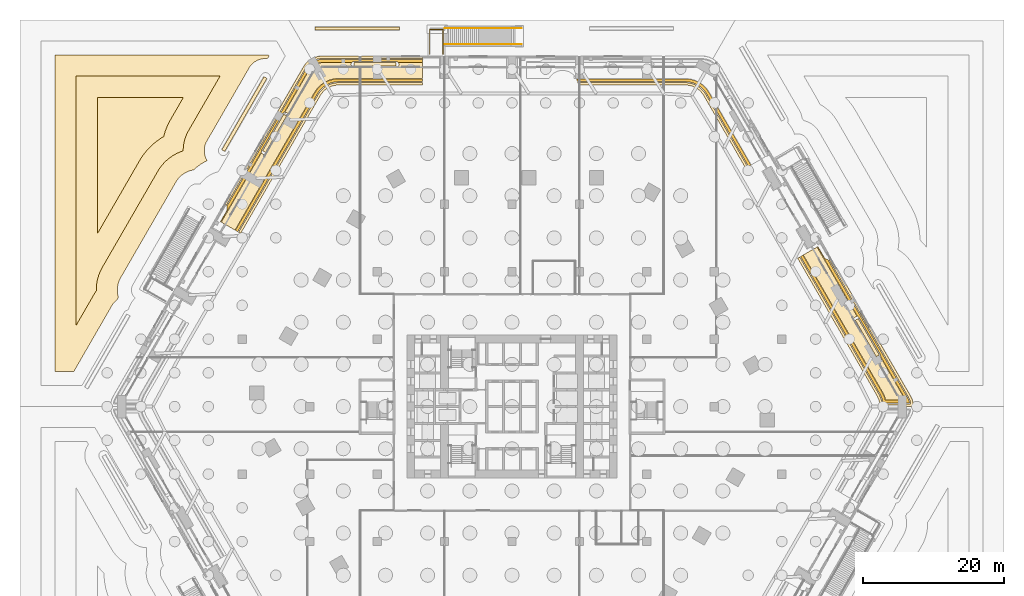
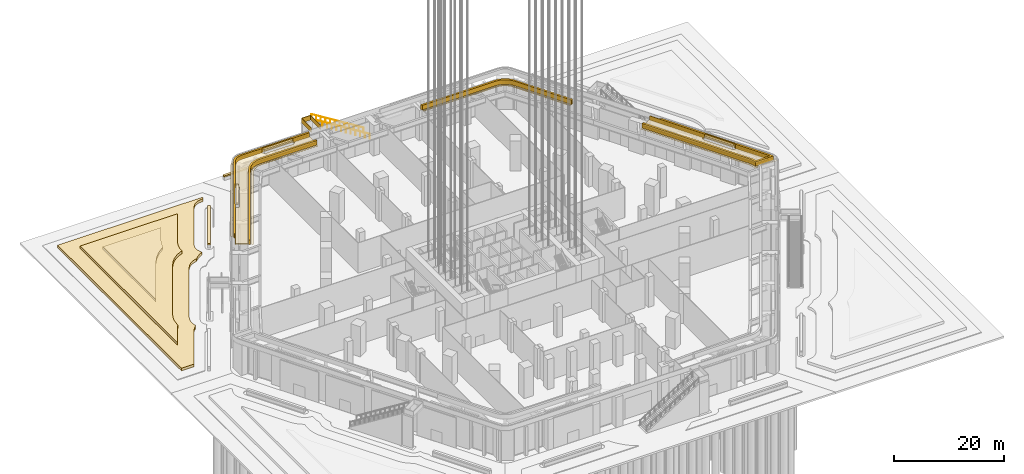
# One storey, part 66 of 68: 18 coverings, 3 railings.
"""IFC4 building model written with IfcOpenShell, lengths in metres."""

from ifc_helpers import new_model, si_unit, direction, frame, frame_2d, origin, origin_2d, place, context, subcontext, project, spatial, polyline, rectangle, circle, outline, extrude, material, layer, layer_set, type_object, element, save


model = new_model("IFC4")

# Units and contexts
model_context = context("Model", 3, precision=1e-05, world=origin(), true_north=direction((0.0, 1.0)))
body_context = subcontext(model_context, "Body", "Model", "MODEL_VIEW")
ifc_project = project(units=[si_unit("LENGTHUNIT", "METRE"), si_unit("AREAUNIT", "SQUARE_METRE"), si_unit("VOLUMEUNIT", "CUBIC_METRE"), si_unit("PLANEANGLEUNIT", "RADIAN"), si_unit("MASSUNIT", "GRAM", prefix="KILO")], contexts=[model_context])

# Site, building, storey
site_placement = place(None, origin())
site = spatial("IfcSite", under=ifc_project, at=site_placement, CompositionType="ELEMENT")
building_placement = place(site_placement, origin())
building = spatial("IfcBuilding", under=site, at=building_placement, Name="Kolab Exchange Tower", CompositionType="ELEMENT")
storey_placement = place(building_placement, origin())
storey = spatial("IfcBuildingStorey", under=building, at=storey_placement, Name="L00", CompositionType="ELEMENT", Elevation=0.0)

# Coverings
ifc_material_1 = material(Name="Planting soil and turf", Category="soil")
ifc_layer_1 = layer(ifc_material_1, 0.60009765625)
ifc_layer_set_1 = layer_set([ifc_layer_1], Name="Planting soil and turf")
covering_type_1 = type_object("IfcCoveringType", Name="GARDEN TERRACE STEP SOIL AND TURF 600", PredefinedType="USERDEFINED", material=ifc_layer_set_1)
covering_1_placement = place(storey_placement, frame((0.0, 0.0, 0.14990234375)))
element("IfcCovering", 1, at=covering_1_placement, inside=storey, type_object=covering_type_1, Name="Garden terrace step", ObjectType="PLANTING", PredefinedType="USERDEFINED", context=body_context, shape_type="SweptSolid", body=[
    extrude(outline(polyline([(-65.0, 50.0), (-34.64111328125, 50.0), (-34.573486328125, 49.883056640625), (-34.79736328125, 49.495361328125), (-34.989013671875, 49.510986328125), (-35.254150390625, 49.5068359375), (-35.517822265625, 49.476318359375), (-35.77685546875, 49.42041015625), (-36.029541015625, 49.33935546875), (-36.272705078125, 49.23388671875), (-36.504638671875, 49.10498046875), (-36.72265625, 48.9541015625), (-36.9248046875, 48.782470703125), (-37.109375, 48.592041015625), (-37.274169921875, 48.38427734375), (-37.39111328125, 48.20263671875), (-43.4404296875, 37.725341796875), (-43.5390625, 37.533203125), (-43.636474609375, 37.286376953125), (-43.709228515625, 37.031494140625), (-43.7568359375, 36.7705078125), (-43.778564453125, 36.50634765625), (-43.774169921875, 36.240966796875), (-43.743896484375, 35.9775390625), (-43.687744140625, 35.71826171875), (-43.606689453125, 35.4658203125), (-43.501220703125, 35.22265625), (-43.372314453125, 34.99072265625), (-43.3642578125, 34.97900390625), (-43.778564453125, 34.782958984375), (-44.325927734375, 34.455078125), (-44.83837890625, 34.074951171875), (-45.296142578125, 33.66015625), (-45.354736328125, 33.6533203125), (-45.690673828125, 33.580810546875), (-46.017822265625, 33.475830078125), (-46.333251953125, 33.339111328125), (-46.633544921875, 33.172119140625), (-46.916259765625, 32.976318359375), (-47.17822265625, 32.754150390625), (-47.417236328125, 32.507080078125), (-47.631103515625, 32.23779296875), (-47.79052734375, 31.990234375), (-49.01513671875, 29.869384765625), (-54.343505859375, 20.640380859375), (-54.343505859375, 20.640380859375), (-55.69970703125, 18.291259765625), (-55.834228515625, 18.029296875), (-55.960693359375, 17.709716796875), (-56.054931640625, 17.379150390625), (-56.116455078125, 17.041015625), (-56.14453125, 16.698486328125), (-56.138916015625, 16.354736328125), (-56.099853515625, 16.013427734375), (-56.027099609375, 15.677490234375), (-55.994384765625, 15.575439453125), (-56.048095703125, 15.486083984375), (-56.1787109375, 15.20947265625), (-56.22265625, 15.17919921875), (-56.4248046875, 15.007568359375), (-56.609375, 14.81689453125), (-56.774169921875, 14.609130859375), (-56.89111328125, 14.427734375), (-62.334228515625, 5.0), (-65.0, 5.0), (-65.0, 50.0)])), origin(), (0.0, 0.0, 1.0), 0.60009765625),
])
covering_2_placement = place(storey_placement, frame((0.0, 0.0, 0.75)))
element("IfcCovering", 2, at=covering_2_placement, inside=storey, type_object=covering_type_1, Name="Garden terrace step", ObjectType="PLANTING", PredefinedType="USERDEFINED", context=body_context, shape_type="SweptSolid", body=[
    extrude(outline(polyline([(-62.0, 11.578857421875), (-62.0, 47.0), (-41.549560546875, 47.0), (-46.0751953125, 39.16162109375), (-46.27490234375, 38.772705078125), (-46.480712890625, 38.251953125), (-46.634521484375, 37.71337890625), (-46.734619140625, 37.16259765625), (-46.780517578125, 36.6044921875), (-46.77685546875, 36.3828125), (-47.075927734375, 36.286865234375), (-47.66162109375, 36.032958984375), (-48.2197265625, 35.72265625), (-48.74462890625, 35.359375), (-49.2314453125, 34.9462890625), (-49.675537109375, 34.487548828125), (-50.072509765625, 33.9873046875), (-50.351806640625, 33.55419921875), (-51.61328125, 31.369384765625), (-56.744140625, 22.482421875), (-56.744140625, 22.482421875), (-58.334716796875, 19.7275390625), (-58.5703125, 19.26904296875), (-58.804931640625, 18.675048828125), (-58.980224609375, 18.061279296875), (-59.094482421875, 17.43310546875), (-59.146728515625, 16.796630859375), (-59.14111328125, 16.452880859375), (-59.215576171875, 16.358642578125), (-59.452392578125, 15.991455078125), (-62.0, 11.578857421875)])), origin(), (0.0, 0.0, 1.0), 0.60009765625),
])
covering_3_placement = place(storey_placement, frame((0.0, 0.0, 1.35009765625)))
element("IfcCovering", 3, at=covering_3_placement, inside=storey, type_object=covering_type_1, Name="Garden terrace step", ObjectType="PLANTING", PredefinedType="USERDEFINED", context=body_context, shape_type="SweptSolid", body=[
    extrude(outline(polyline([(-59.0, 24.5751953125), (-59.0, 44.0), (-46.745849609375, 44.0), (-48.710205078125, 40.59765625), (-49.0107421875, 40.012451171875), (-49.324951171875, 39.217529296875), (-49.5546875, 38.4130859375), (-49.805908203125, 38.2734375), (-50.5732421875, 37.7421875), (-51.284912109375, 37.138427734375), (-51.933837890625, 36.468017578125), (-52.513916015625, 35.73681640625), (-52.9130859375, 35.117919921875), (-54.21142578125, 32.869384765625), (-59.0, 24.5751953125)])), origin(), (0.0, 0.0, 1.0), 0.599853515625),
])

# Railings
ifc_material_2 = material(Name="Steel S235", Category="steel")
railing_type = type_object("IfcRailingType", Name="GUARD 1100 GLASS BALUSTRADE AND STEEL TOP RAIL", PredefinedType="GUARDRAIL", material=ifc_material_2)
railing_1_placement = place(storey_placement, frame((1.360107421875, 51.54296875, 0.175048828125)))
element("IfcRailing", 4, at=railing_1_placement, inside=storey, type_object=railing_type, Name="Stair guard", PredefinedType="GUARDRAIL", context=body_context, shape_type="SweptSolid", body=[
    extrude(circle(Radius=0.02490234375, at=origin_2d()), frame((0.0, 0.0, 1.0751953125), z_axis=(-0.848003629439, 0.0, 0.529990419213), x_axis=(0.0, -1.0, 0.0)), (0.0, 0.0, 1.0), 12.87744140625),
    extrude(circle(Radius=0.02001953125, at=origin_2d()), origin(), (0.0, 0.0, 1.0), 1.050048828125),
    extrude(circle(Radius=0.02001953125, at=origin_2d()), frame((-0.99267578125, 0.0, 0.620361328125)), (0.0, 0.0, 1.0), 1.050048828125),
    extrude(circle(Radius=0.02001953125, at=origin_2d()), frame((-1.985595703125, 0.0, 1.240966796875)), (0.0, 0.0, 1.0), 1.050048828125),
    extrude(circle(Radius=0.02001953125, at=origin_2d()), frame((-2.978271484375, 0.0, 1.861328125)), (0.0, 0.0, 1.0), 1.050048828125),
    extrude(circle(Radius=0.02001953125, at=origin_2d()), frame((-3.970947265625, 0.0, 2.481689453125)), (0.0, 0.0, 1.0), 1.050048828125),
    extrude(circle(Radius=0.02001953125, at=origin_2d()), frame((-4.963623046875, 0.0, 3.102294921875)), (0.0, 0.0, 1.0), 1.050048828125),
    extrude(circle(Radius=0.02001953125, at=origin_2d()), frame((-5.95654296875, 0.0, 3.72265625)), (0.0, 0.0, 1.0), 1.050048828125),
    extrude(circle(Radius=0.02001953125, at=origin_2d()), frame((-6.94921875, 0.0, 4.34326171875)), (0.0, 0.0, 1.0), 1.050048828125),
    extrude(circle(Radius=0.02001953125, at=origin_2d()), frame((-7.94189453125, 0.0, 4.963623046875)), (0.0, 0.0, 1.0), 1.050048828125),
    extrude(circle(Radius=0.02001953125, at=origin_2d()), frame((-8.9345703125, 0.0, 5.583984375)), (0.0, 0.0, 1.0), 1.050048828125),
    extrude(circle(Radius=0.02001953125, at=origin_2d()), frame((-9.927490234375, 0.0, 6.20458984375)), (0.0, 0.0, 1.0), 1.050048828125),
    extrude(circle(Radius=0.02001953125, at=origin_2d()), frame((-10.920166015625, 0.0, 6.824951171875)), (0.0, 0.0, 1.0), 1.050048828125),
])
railing_2_placement = place(storey_placement, frame((1.360107421875, 53.822998046875, 0.175048828125)))
element("IfcRailing", 5, at=railing_2_placement, inside=storey, type_object=railing_type, Name="Stair guard", PredefinedType="GUARDRAIL", context=body_context, shape_type="SweptSolid", body=[
    extrude(circle(Radius=0.02490234375, at=origin_2d()), frame((0.0, 0.0, 1.0751953125), z_axis=(-0.848003629439, 0.0, 0.529990419213), x_axis=(0.0, -1.0, 0.0)), (0.0, 0.0, 1.0), 12.87744140625),
    extrude(circle(Radius=0.02001953125, at=origin_2d()), origin(), (0.0, 0.0, 1.0), 1.050048828125),
    extrude(circle(Radius=0.02001953125, at=origin_2d()), frame((-0.99267578125, 0.0, 0.620361328125)), (0.0, 0.0, 1.0), 1.050048828125),
    extrude(circle(Radius=0.02001953125, at=origin_2d()), frame((-1.985595703125, 0.0, 1.240966796875)), (0.0, 0.0, 1.0), 1.050048828125),
    extrude(circle(Radius=0.02001953125, at=origin_2d()), frame((-2.978271484375, 0.0, 1.861328125)), (0.0, 0.0, 1.0), 1.050048828125),
    extrude(circle(Radius=0.02001953125, at=origin_2d()), frame((-3.970947265625, 0.0, 2.481689453125)), (0.0, 0.0, 1.0), 1.050048828125),
    extrude(circle(Radius=0.02001953125, at=origin_2d()), frame((-4.963623046875, 0.0, 3.102294921875)), (0.0, 0.0, 1.0), 1.050048828125),
    extrude(circle(Radius=0.02001953125, at=origin_2d()), frame((-5.95654296875, 0.0, 3.72265625)), (0.0, 0.0, 1.0), 1.050048828125),
    extrude(circle(Radius=0.02001953125, at=origin_2d()), frame((-6.94921875, 0.0, 4.34326171875)), (0.0, 0.0, 1.0), 1.050048828125),
    extrude(circle(Radius=0.02001953125, at=origin_2d()), frame((-7.94189453125, 0.0, 4.963623046875)), (0.0, 0.0, 1.0), 1.050048828125),
    extrude(circle(Radius=0.02001953125, at=origin_2d()), frame((-8.9345703125, 0.0, 5.583984375)), (0.0, 0.0, 1.0), 1.050048828125),
    extrude(circle(Radius=0.02001953125, at=origin_2d()), frame((-9.927490234375, 0.0, 6.20458984375)), (0.0, 0.0, 1.0), 1.050048828125),
    extrude(circle(Radius=0.02001953125, at=origin_2d()), frame((-10.920166015625, 0.0, 6.824951171875)), (0.0, 0.0, 1.0), 1.050048828125),
])
railing_3_placement = place(storey_placement, frame((-11.7099609375, 50.133056640625, 7.0)))
element("IfcRailing", 6, at=railing_3_placement, inside=storey, type_object=railing_type, Name="Landing guard", PredefinedType="GUARDRAIL", context=body_context, shape_type="SweptSolid", body=[
    extrude(rectangle(XDim=0.05, YDim=0.05, at=origin_2d()), frame((0.0, 0.0, 1.0751953125), z_axis=(0.0, 1.0, 0.0), x_axis=(-1.0, 0.0, 0.0)), (0.0, 0.0, 1.0), 3.5),
    extrude(rectangle(XDim=0.012, YDim=1.05009765625, at=frame_2d((0.0, 0.525146484375))), frame((0.0, 0.0, 0.0), z_axis=(0.0, 1.0, 0.0), x_axis=(-1.0, 0.0, 0.0)), (0.0, 0.0, 1.0), 3.5),
    extrude(rectangle(XDim=0.05, YDim=0.05, at=origin_2d()), frame((0.0, 3.5, 1.0751953125), z_axis=(1.0, 0.0, 0.0), x_axis=(0.0, 1.0, 0.0)), (0.0, 0.0, 1.0), 1.905029296875),
    extrude(rectangle(XDim=0.012, YDim=1.05009765625, at=frame_2d((0.0, 0.525146484375))), frame((0.0, 3.5, 0.0), z_axis=(1.0, 0.0, 0.0), x_axis=(0.0, 1.0, 0.0)), (0.0, 0.0, 1.0), 1.905029296875),
    extrude(rectangle(XDim=0.05, YDim=0.05, at=origin_2d()), frame((1.905029296875, 3.5, 1.0751953125), z_axis=(0.0, -1.0, 0.0), x_axis=(1.0, 0.0, 0.0)), (0.0, 0.0, 1.0), 3.5),
    extrude(rectangle(XDim=0.012, YDim=1.05009765625, at=frame_2d((0.0, 0.525146484375))), frame((1.905029296875, 3.5, 0.0), z_axis=(0.0, -1.0, 0.0), x_axis=(1.0, 0.0, 0.0)), (0.0, 0.0, 1.0), 3.5),
])

# Coverings
ifc_layer_2 = layer(ifc_material_1, 0.25)
ifc_layer_set_2 = layer_set([ifc_layer_2], Name="Planting soil and turf")
covering_type_2 = type_object("IfcCoveringType", Name="PLANTING SOIL AND TURF 250", PredefinedType="USERDEFINED", material=ifc_layer_set_2)
covering_4_placement = place(storey_placement, frame((0.0, 0.0, 7.0)))
element("IfcCovering", 7, at=covering_4_placement, inside=storey, type_object=covering_type_2, Name="Planting soil and turf", ObjectType="PLANTING", PredefinedType="USERDEFINED", context=body_context, shape_type="SweptSolid", body=[
    extrude(outline(polyline([(-35.64208984375, 36.132080078125), (-35.62841796875, 36.100341796875), (-35.609375, 36.06591796875), (-35.587158203125, 36.03369140625), (-35.561767578125, 36.003662109375), (-35.533447265625, 35.9765625), (-35.502685546875, 35.9521484375), (-35.4697265625, 35.930908203125), (-35.434814453125, 35.912841796875), (-35.398193359375, 35.8984375), (-35.360595703125, 35.8876953125), (-35.322021484375, 35.880615234375), (-35.28271484375, 35.87744140625), (-35.24365234375, 35.878173828125), (-35.20458984375, 35.882568359375), (-35.166259765625, 35.890869140625), (-35.12890625, 35.90283203125), (-35.0927734375, 35.91845703125), (-35.05859375, 35.9375), (-35.026123046875, 35.9599609375), (-34.996337890625, 35.9853515625), (-34.968994140625, 36.013427734375), (-34.944580078125, 36.044189453125), (-34.92333984375, 36.0771484375), (-31.92333984375, 41.2734375), (-31.9052734375, 41.308349609375), (-31.890869140625, 41.3447265625), (-31.880126953125, 41.382568359375), (-31.873046875, 41.421142578125), (-31.869873046875, 41.460205078125), (-31.87060546875, 41.49951171875), (-31.875, 41.53857421875), (-31.88330078125, 41.576904296875), (-31.895263671875, 41.6142578125), (-31.910888671875, 41.650390625), (-31.929931640625, 41.6845703125), (-31.952392578125, 41.716796875), (-31.977783203125, 41.746826171875), (-32.005859375, 41.774169921875), (-32.03662109375, 41.798583984375), (-32.06982421875, 41.81982421875), (-32.104736328125, 41.837646484375), (-32.14111328125, 41.85205078125), (-32.178955078125, 41.86279296875), (-32.217529296875, 41.869873046875), (-32.256591796875, 41.873046875), (-32.2958984375, 41.87255859375), (-32.330322265625, 41.86865234375), (-28.864013671875, 47.8720703125), (-28.635498046875, 48.198486328125), (-28.38330078125, 48.45068359375), (-28.091064453125, 48.6552734375), (-27.767822265625, 48.805908203125), (-27.42333984375, 48.8984375), (-27.0263671875, 48.93310546875), (-22.801025390625, 48.93310546875), (-22.821533203125, 48.9052734375), (-22.841796875, 48.87158203125), (-22.8583984375, 48.836181640625), (-22.87158203125, 48.799072265625), (-22.88134765625, 48.760986328125), (-22.886962890625, 48.72216796875), (-22.888916015625, 48.68310546875), (-22.886962890625, 48.643798828125), (-22.88134765625, 48.60498046875), (-22.87158203125, 48.56689453125), (-22.8583984375, 48.530029296875), (-22.841796875, 48.494384765625), (-22.821533203125, 48.4609375), (-22.798095703125, 48.42919921875), (-22.771728515625, 48.400146484375), (-22.74267578125, 48.373779296875), (-22.711181640625, 48.3505859375), (-22.677490234375, 48.330322265625), (-22.64208984375, 48.3134765625), (-22.60498046875, 48.30029296875), (-22.56689453125, 48.290771484375), (-22.528076171875, 48.284912109375), (-22.489013671875, 48.282958984375), (-16.489013671875, 48.282958984375), (-16.44970703125, 48.284912109375), (-16.410888671875, 48.290771484375), (-16.372802734375, 48.30029296875), (-16.3359375, 48.3134765625), (-16.30029296875, 48.330322265625), (-16.2666015625, 48.3505859375), (-16.235107421875, 48.373779296875), (-16.2060546875, 48.400146484375), (-16.1796875, 48.42919921875), (-16.15625, 48.4609375), (-16.13623046875, 48.494384765625), (-16.119384765625, 48.530029296875), (-16.106201171875, 48.56689453125), (-16.0966796875, 48.60498046875), (-16.0908203125, 48.643798828125), (-16.0888671875, 48.68310546875), (-16.0908203125, 48.72216796875), (-16.0966796875, 48.760986328125), (-16.106201171875, 48.799072265625), (-16.119384765625, 48.836181640625), (-16.13623046875, 48.87158203125), (-16.15625, 48.9052734375), (-16.177001953125, 48.93310546875), (-12.760009765625, 48.93310546875), (-12.760009765625, 46.676025390625), (-24.70947265625, 46.676025390625), (-25.3544921875, 46.61962890625), (-26.020263671875, 46.44140625), (-26.644775390625, 46.150146484375), (-27.209228515625, 45.7548828125), (-27.696533203125, 45.267578125), (-28.068115234375, 44.737060546875), (-39.40283203125, 25.104736328125), (-41.357177734375, 26.233154296875), (-35.64208984375, 36.132080078125)])), origin(), (0.0, 0.0, 1.0), 0.25),
])
covering_5_placement = place(storey_placement, frame((0.0, 0.0, 7.0)))
element("IfcCovering", 8, at=covering_5_placement, inside=storey, type_object=covering_type_2, Name="Planting soil and turf", ObjectType="PLANTING", PredefinedType="USERDEFINED", context=body_context, shape_type="SweptSolid", body=[
    extrude(outline(polyline([(49.1123046875, 12.801025390625), (49.077880859375, 12.804931640625), (49.038818359375, 12.8056640625), (48.99951171875, 12.802490234375), (48.9609375, 12.79541015625), (48.92333984375, 12.78466796875), (48.88671875, 12.770263671875), (48.851806640625, 12.752197265625), (48.81884765625, 12.73095703125), (48.7880859375, 12.70654296875), (48.760009765625, 12.67919921875), (48.734375, 12.6494140625), (48.712158203125, 12.6171875), (48.693115234375, 12.582763671875), (48.677490234375, 12.546875), (48.66552734375, 12.50927734375), (48.6572265625, 12.470947265625), (48.652587890625, 12.43212890625), (48.652099609375, 12.392822265625), (48.6552734375, 12.353759765625), (48.662353515625, 12.31494140625), (48.673095703125, 12.27734375), (48.6875, 12.24072265625), (48.705322265625, 12.205810546875), (51.705322265625, 7.009765625), (51.726806640625, 6.976806640625), (51.7509765625, 6.946044921875), (51.7783203125, 6.917724609375), (51.808349609375, 6.892333984375), (51.840576171875, 6.8701171875), (51.875, 6.85107421875), (51.910888671875, 6.83544921875), (51.9482421875, 6.8232421875), (51.986572265625, 6.81494140625), (52.025634765625, 6.810546875), (52.06494140625, 6.809814453125), (52.10400390625, 6.813232421875), (52.142578125, 6.820068359375), (52.180419921875, 6.8310546875), (52.216796875, 6.845458984375), (52.251953125, 6.86328125), (52.284912109375, 6.884521484375), (52.315673828125, 6.908935546875), (52.34375, 6.936279296875), (52.369140625, 6.96630859375), (52.3916015625, 6.99853515625), (52.41064453125, 7.03271484375), (52.42431640625, 7.064453125), (55.890625, 1.06103515625), (55.942138671875, 0.949951171875), (53.158935546875, 0.949951171875), (53.051025390625, 1.352294921875), (52.77734375, 1.93896484375), (41.442626953125, 21.5712890625), (43.397216796875, 22.699951171875), (49.1123046875, 12.801025390625)])), origin(), (0.0, 0.0, 1.0), 0.25),
])
covering_6_placement = place(storey_placement, frame((0.0, 0.0, 7.699951171875)))
element("IfcCovering", 9, at=covering_6_placement, inside=storey, type_object=covering_type_2, Name="Planting soil and turf", ObjectType="PLANTING", PredefinedType="USERDEFINED", context=body_context, shape_type="SweptSolid", body=[
    extrude(outline(polyline([(-16.489013671875, 48.922607421875), (-16.489013671875, 48.442626953125), (-22.489013671875, 48.442626953125), (-22.489013671875, 48.922607421875), (-16.489013671875, 48.922607421875)])), origin(), (0.0, 0.0, 1.0), 0.300048828125),
])
covering_7_placement = place(storey_placement, frame((0.0, 0.0, 7.699951171875)))
element("IfcCovering", 10, at=covering_7_placement, inside=storey, type_object=covering_type_2, Name="Planting soil and turf", ObjectType="PLANTING", PredefinedType="USERDEFINED", context=body_context, shape_type="SweptSolid", body=[
    extrude(outline(polyline([(52.259765625, 7.32958984375), (51.843994140625, 7.089599609375), (48.843994140625, 12.285888671875), (49.259765625, 12.52587890625), (52.259765625, 7.32958984375)])), origin(), (0.0, 0.0, 1.0), 0.300048828125),
])
covering_8_placement = place(storey_placement, frame((0.0, 0.0, 7.699951171875)))
element("IfcCovering", 11, at=covering_8_placement, inside=storey, type_object=covering_type_2, Name="Planting soil and turf", ObjectType="PLANTING", PredefinedType="USERDEFINED", context=body_context, shape_type="SweptSolid", body=[
    extrude(outline(polyline([(-32.4775390625, 41.59326171875), (-32.061767578125, 41.353271484375), (-35.061767578125, 36.1572265625), (-35.4775390625, 36.397216796875), (-32.4775390625, 41.59326171875)])), origin(), (0.0, 0.0, 1.0), 0.300048828125),
])
covering_9_placement = place(storey_placement, frame((0.0, 0.0, 0.699951171875)))
element("IfcCovering", 12, at=covering_9_placement, inside=storey, type_object=covering_type_2, Name="Planting soil and turf", ObjectType="PLANTING", PredefinedType="USERDEFINED", context=body_context, shape_type="SweptSolid", body=[
    extrude(outline(polyline([(-16.0, 54.02294921875), (-16.0, 53.54296875), (-28.0, 53.54296875), (-28.0, 54.02294921875), (-16.0, 54.02294921875)])), origin(), (0.0, 0.0, 1.0), 0.300048828125),
])
covering_10_placement = place(storey_placement, frame((0.0, 0.0, 0.699951171875)))
element("IfcCovering", 13, at=covering_10_placement, inside=storey, type_object=covering_type_2, Name="Planting soil and turf", ObjectType="PLANTING", PredefinedType="USERDEFINED", context=body_context, shape_type="SweptSolid", body=[
    extrude(outline(polyline([(-35.285400390625, 46.93017578125), (-34.86962890625, 46.690185546875), (-40.86962890625, 36.2978515625), (-41.285400390625, 36.537841796875), (-35.285400390625, 46.93017578125)])), origin(), (0.0, 0.0, 1.0), 0.300048828125),
])
ifc_material_3 = material(Name="Limestone coping", Category="masonry")
ifc_layer_3 = layer(ifc_material_3, 0.050048828125)
ifc_layer_set_3 = layer_set([ifc_layer_3], Name="Limestone coping")
covering_type_3 = type_object("IfcCoveringType", Name="TERRACE EDGE BAND LIMESTONE 50", PredefinedType="CLADDING", material=ifc_layer_set_3)
covering_11_placement = place(storey_placement, frame((0.0, 0.0, 7.0)))
element("IfcCovering", 14, at=covering_11_placement, inside=storey, type_object=covering_type_3, Name="Terrace edge band", PredefinedType="CLADDING", context=body_context, shape_type="SweptSolid", body=[
    extrude(outline(polyline([(-29.649169921875, 48.372314453125), (-29.3505859375, 48.798583984375), (-28.9833984375, 49.165771484375), (-28.557861328125, 49.4638671875), (-28.087158203125, 49.683349609375), (-27.58544921875, 49.817626953125), (-27.067138671875, 49.863037109375), (-12.759033203125, 49.863037109375), (-12.756103515625, 49.8046875), (-12.74462890625, 49.72705078125), (-12.7255859375, 49.65087890625), (-12.69921875, 49.576904296875), (-12.6689453125, 49.51318359375), (-27.0517578125, 49.51318359375), (-27.5244140625, 49.4716796875), (-27.967041015625, 49.35302734375), (-28.38232421875, 49.159423828125), (-28.757568359375, 48.896728515625), (-29.08154296875, 48.57275390625), (-29.353759765625, 48.18408203125), (-40.64501953125, 28.626708984375), (-40.685302734375, 28.684814453125), (-40.736083984375, 28.74462890625), (-40.79248046875, 28.79931640625), (-40.85400390625, 28.84814453125), (-40.903076171875, 28.879638671875), (-29.649169921875, 48.372314453125)])), origin(), (0.0, 0.0, 1.0), 0.050048828125),
])
covering_12_placement = place(storey_placement, frame((0.0, 0.0, 7.0)))
element("IfcCovering", 15, at=covering_12_placement, inside=storey, type_object=covering_type_3, Name="Terrace edge band", PredefinedType="CLADDING", context=body_context, shape_type="SweptSolid", body=[
    extrude(outline(polyline([(-24.668701171875, 45.74609375), (-25.1923828125, 45.700439453125), (-25.700927734375, 45.56396484375), (-26.177978515625, 45.341552734375), (-26.609130859375, 45.03955078125), (-26.9814453125, 44.66748046875), (-27.282958984375, 44.23681640625), (-38.597412109375, 24.6396484375), (-38.900390625, 24.814697265625), (-27.578369140625, 44.425048828125), (-27.25048828125, 44.893310546875), (-26.8349609375, 45.308837890625), (-26.353759765625, 45.645751953125), (-25.821044921875, 45.894287109375), (-25.25341796875, 46.04638671875), (-24.68408203125, 46.09619140625), (-12.760009765625, 46.09619140625), (-12.760009765625, 45.74609375), (-24.668701171875, 45.74609375)])), origin(), (0.0, 0.0, 1.0), 0.050048828125),
])
covering_13_placement = place(storey_placement, frame((0.0, 0.0, 7.0)))
element("IfcCovering", 16, at=covering_13_placement, inside=storey, type_object=covering_type_3, Name="Terrace edge band", PredefinedType="CLADDING", context=body_context, shape_type="SweptSolid", body=[
    extrude(outline(polyline([(27.282958984375, 44.23681640625), (26.9814453125, 44.66748046875), (26.609130859375, 45.03955078125), (26.177978515625, 45.341552734375), (25.700927734375, 45.56396484375), (25.1923828125, 45.700439453125), (24.668701171875, 45.74609375), (9.39404296875, 45.74609375), (9.389404296875, 45.841796875), (9.357666015625, 46.055419921875), (9.347412109375, 46.09619140625), (24.68408203125, 46.09619140625), (25.25341796875, 46.04638671875), (25.821044921875, 45.894287109375), (26.353759765625, 45.645751953125), (26.8349609375, 45.308837890625), (27.25048828125, 44.893310546875), (27.578369140625, 44.425048828125), (33.54052734375, 34.0986328125), (33.2373046875, 33.923583984375), (27.282958984375, 44.23681640625)])), origin(), (0.0, 0.0, 1.0), 0.050048828125),
])
covering_14_placement = place(storey_placement, frame((0.0, 0.0, 7.0)))
element("IfcCovering", 17, at=covering_14_placement, inside=storey, type_object=covering_type_3, Name="Terrace edge band", PredefinedType="CLADDING", context=body_context, shape_type="SweptSolid", body=[
    extrude(outline(polyline([(56.71630859375, 1.49072265625), (56.93603515625, 1.019287109375), (57.070556640625, 0.517578125), (57.114013671875, 0.02001953125), (52.354248046875, 0.02001953125), (52.31005859375, 0.5244140625), (52.173828125, 1.032958984375), (51.95166015625, 1.50927734375), (40.63720703125, 21.1064453125), (40.9404296875, 21.281494140625), (52.262451171875, 1.6708984375), (52.50390625, 1.153076171875), (52.656005859375, 0.58544921875), (52.675048828125, 0.3701171875), (56.732177734375, 0.3701171875), (56.724609375, 0.45654296875), (56.60595703125, 0.89892578125), (56.405517578125, 1.3291015625), (45.114013671875, 20.88623046875), (45.184326171875, 20.89208984375), (45.26171875, 20.90625), (45.337158203125, 20.927734375), (45.41015625, 20.95654296875), (45.462158203125, 20.9833984375), (56.71630859375, 1.49072265625)])), origin(), (0.0, 0.0, 1.0), 0.050048828125),
])
ifc_material_4 = material(Name="Terrace hedge planting", Category="soil")
ifc_layer_4 = layer(ifc_material_4, 1.0)
ifc_layer_set_4 = layer_set([ifc_layer_4], Name="Terrace hedge planting")
covering_type_4 = type_object("IfcCoveringType", Name="TERRACE HEDGE 1000 X 400", PredefinedType="USERDEFINED", material=ifc_layer_set_4)
covering_15_placement = place(storey_placement, frame((0.0, 0.0, 7.0)))
element("IfcCovering", 18, at=covering_15_placement, inside=storey, type_object=covering_type_4, Name="Terrace hedge", ObjectType="PLANTING", PredefinedType="USERDEFINED", context=body_context, shape_type="SweptSolid", body=[
    extrude(outline(polyline([(-29.243896484375, 48.1142578125), (-28.981689453125, 48.48876953125), (-28.673583984375, 48.796630859375), (-28.31689453125, 49.04638671875), (-27.92236328125, 49.23046875), (-27.501708984375, 49.34326171875), (-27.046142578125, 49.383056640625), (-12.675048828125, 49.383056640625), (-12.69921875, 49.332275390625), (-12.7255859375, 49.25830078125), (-12.74462890625, 49.18212890625), (-12.756103515625, 49.1044921875), (-12.760009765625, 49.026123046875), (-12.760009765625, 48.983154296875), (-16.22509765625, 48.983154296875), (-16.235107421875, 48.9921875), (-16.2666015625, 49.015625), (-16.30029296875, 49.035888671875), (-16.3359375, 49.052734375), (-16.372802734375, 49.06591796875), (-16.410888671875, 49.075439453125), (-16.44970703125, 49.0810546875), (-16.489013671875, 49.0830078125), (-22.489013671875, 49.0830078125), (-22.528076171875, 49.0810546875), (-22.56689453125, 49.075439453125), (-22.60498046875, 49.06591796875), (-22.64208984375, 49.052734375), (-22.677490234375, 49.035888671875), (-22.711181640625, 49.015625), (-22.74267578125, 48.9921875), (-22.7529296875, 48.983154296875), (-27.028564453125, 48.983154296875), (-27.43212890625, 48.94775390625), (-27.784912109375, 48.853271484375), (-28.1162109375, 48.69873046875), (-28.41552734375, 48.489013671875), (-28.674072265625, 48.230712890625), (-28.90625, 47.89892578125), (-32.3974609375, 41.851806640625), (-32.41064453125, 41.84765625), (-32.446533203125, 41.83203125), (-32.48095703125, 41.81298828125), (-32.51318359375, 41.790771484375), (-32.543212890625, 41.765380859375), (-32.570556640625, 41.737060546875), (-32.5947265625, 41.706298828125), (-32.6162109375, 41.67333984375), (-35.6162109375, 36.477294921875), (-35.634033203125, 36.4423828125), (-35.6484375, 36.40576171875), (-35.6591796875, 36.367919921875), (-35.666259765625, 36.329345703125), (-35.66943359375, 36.290283203125), (-35.6689453125, 36.2509765625), (-35.664306640625, 36.212158203125), (-35.661376953125, 36.19873046875), (-41.400634765625, 26.25830078125), (-41.43798828125, 26.27978515625), (-41.488525390625, 26.305908203125), (-40.627197265625, 27.7978515625), (-40.59130859375, 27.86767578125), (-40.5625, 27.940673828125), (-40.541015625, 28.01611328125), (-40.52685546875, 28.09326171875), (-40.5205078125, 28.171630859375), (-40.521728515625, 28.25), (-40.53076171875, 28.328125), (-40.54736328125, 28.40478515625), (-40.5712890625, 28.4794921875), (-40.574951171875, 28.48828125), (-29.243896484375, 48.1142578125)])), origin(), (0.0, 0.0, 1.0), 1.0),
])
covering_16_placement = place(storey_placement, frame((0.0, 0.0, 7.0)))
element("IfcCovering", 19, at=covering_16_placement, inside=storey, type_object=covering_type_4, Name="Terrace hedge", ObjectType="PLANTING", PredefinedType="USERDEFINED", context=body_context, shape_type="SweptSolid", body=[
    extrude(outline(polyline([(-24.689697265625, 46.22607421875), (-25.276123046875, 46.1748046875), (-25.86572265625, 46.016845703125), (-26.4189453125, 45.7587890625), (-26.9189453125, 45.40869140625), (-27.3505859375, 44.97705078125), (-27.688232421875, 44.4951171875), (-39.012939453125, 24.8798828125), (-39.359375, 25.079833984375), (-28.02587890625, 44.710205078125), (-27.658203125, 45.235107421875), (-27.177001953125, 45.71630859375), (-26.61962890625, 46.106689453125), (-26.0029296875, 46.394287109375), (-25.345703125, 46.5703125), (-24.707275390625, 46.626220703125), (-12.760009765625, 46.626220703125), (-12.760009765625, 46.22607421875), (-24.689697265625, 46.22607421875)])), origin(), (0.0, 0.0, 1.0), 1.0),
])
covering_17_placement = place(storey_placement, frame((0.0, 0.0, 7.0)))
element("IfcCovering", 20, at=covering_17_placement, inside=storey, type_object=covering_type_4, Name="Terrace hedge", ObjectType="PLANTING", PredefinedType="USERDEFINED", context=body_context, shape_type="SweptSolid", body=[
    extrude(outline(polyline([(27.688232421875, 44.4951171875), (27.3505859375, 44.97705078125), (26.9189453125, 45.40869140625), (26.4189453125, 45.7587890625), (25.86572265625, 46.016845703125), (25.276123046875, 46.1748046875), (24.689697265625, 46.22607421875), (9.31494140625, 46.22607421875), (9.30517578125, 46.2646484375), (9.232421875, 46.468017578125), (9.15771484375, 46.626220703125), (24.707275390625, 46.626220703125), (25.345703125, 46.5703125), (26.0029296875, 46.394287109375), (26.61962890625, 46.106689453125), (27.177001953125, 45.71630859375), (27.658203125, 45.235107421875), (28.02587890625, 44.710205078125), (33.99951171875, 34.363525390625), (33.653076171875, 34.16357421875), (27.688232421875, 44.4951171875)])), origin(), (0.0, 0.0, 1.0), 1.0),
])
covering_18_placement = place(storey_placement, frame((0.0, 0.0, 7.0)))
element("IfcCovering", 21, at=covering_18_placement, inside=storey, type_object=covering_type_4, Name="Terrace hedge", ObjectType="PLANTING", PredefinedType="USERDEFINED", context=body_context, shape_type="SweptSolid", body=[
    extrude(outline(polyline([(56.2900390625, 1.268798828125), (56.4833984375, 0.8544921875), (56.578369140625, 0.5), (52.7939453125, 0.5), (52.78466796875, 0.608154296875), (52.626708984375, 1.19775390625), (52.3779296875, 1.731201171875), (41.052978515625, 21.346435546875), (41.3994140625, 21.54638671875), (52.733154296875, 1.916015625), (53.00390625, 1.3349609375), (53.12060546875, 0.89990234375), (56.020751953125, 0.89990234375), (55.934814453125, 1.083984375), (52.443603515625, 7.131103515625), (52.446533203125, 7.14453125), (52.450927734375, 7.18359375), (52.45166015625, 7.222900390625), (52.448486328125, 7.261962890625), (52.44140625, 7.300537109375), (52.4306640625, 7.33837890625), (52.416259765625, 7.374755859375), (52.398193359375, 7.40966796875), (49.398193359375, 12.60595703125), (49.376953125, 12.638916015625), (49.3525390625, 12.669677734375), (49.3251953125, 12.69775390625), (49.29541015625, 12.72314453125), (49.262939453125, 12.74560546875), (49.228759765625, 12.7646484375), (49.192626953125, 12.7802734375), (49.1796875, 12.784423828125), (43.440673828125, 22.724853515625), (43.477783203125, 22.746337890625), (43.52587890625, 22.77734375), (44.38720703125, 21.28515625), (44.4296875, 21.21923828125), (44.478515625, 21.15771484375), (44.533203125, 21.101318359375), (44.593017578125, 21.050537109375), (44.657470703125, 21.005859375), (44.72607421875, 20.9677734375), (44.798095703125, 20.9365234375), (44.873046875, 20.91259765625), (44.94970703125, 20.89599609375), (44.958984375, 20.894775390625), (56.2900390625, 1.268798828125)])), origin(), (0.0, 0.0, 1.0), 1.0),
])

save(model, "model.ifc")
